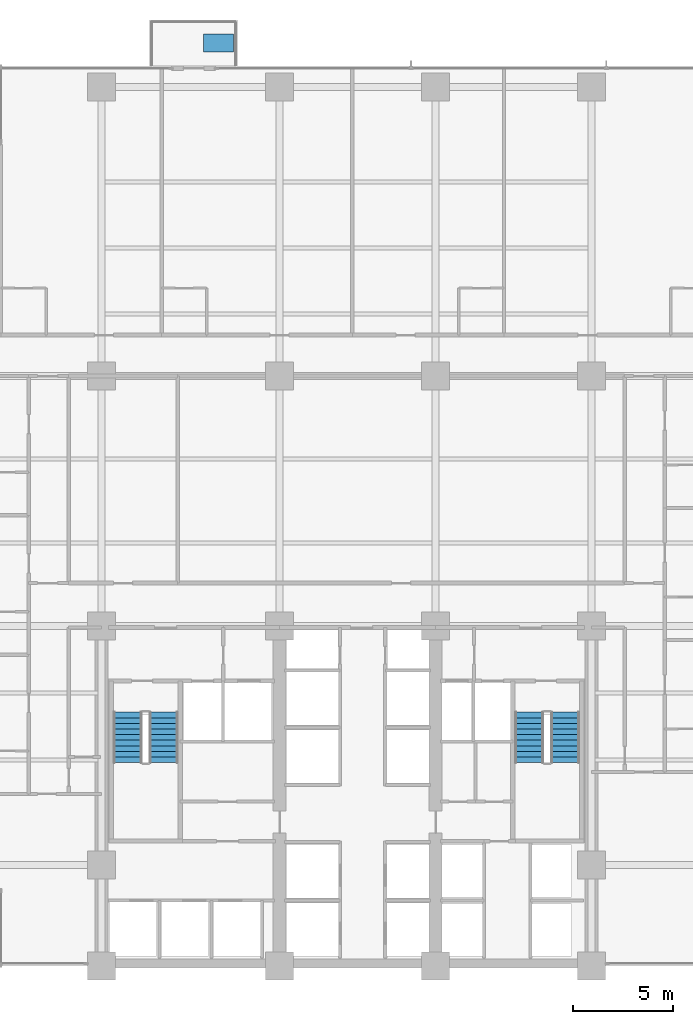
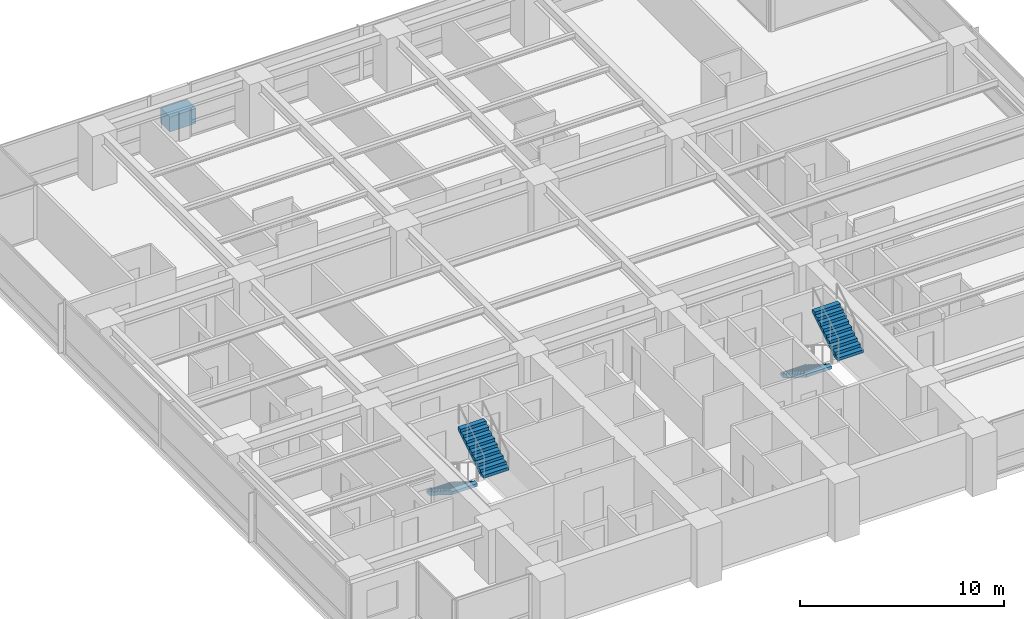
# One storey, part 11 of 17: 4 stair flights, 1 discrete accessory, 2 elements without a shape of their own.
"""IFC4 building model written with IfcOpenShell, lengths in metres."""

import ifcopenshell
import ifcopenshell.guid

model = None  # the IFC model being written
_history = None  # IfcOwnerHistory: only IFC2X3 demands one
_inside = {}  # id of a spatial element -> (the spatial element, [elements in it])
_under = {}  # id of a project, library or spatial element -> (it, [spatial elements below it])
_declared = {}  # id of a project -> (the project, [libraries it declares])
_typed = {}  # id of a type object -> (the type object, [elements of that type])
_made_of = {}  # id of a material, layer set ... -> (it, [elements and type objects made of it])


def new_model(schema):
    """Start an empty IFC model of exactly this schema.

    Asked for "IFC4X3", IfcOpenShell would pick the latest addendum, in which some entities
    have other attributes; the version numbers below select the first issue.
    IFC2X3 requires an IfcOwnerHistory on every rooted entity: one is made here for all.
    """
    global model, _history
    if schema == "IFC4X3":
        model = ifcopenshell.file(schema_version=(4, 3, 0, 0))
    else:
        model = ifcopenshell.file(schema=schema)
    _inside.clear()
    _under.clear()
    _declared.clear()
    _typed.clear()
    _made_of.clear()
    _history = None
    if model.schema == "IFC2X3":
        org = make("IfcOrganization", Name="unknown")
        user = make(
            "IfcPersonAndOrganization",
            ThePerson=make("IfcPerson", FamilyName="unknown"),
            TheOrganization=org,
        )
        app = make(
            "IfcApplication",
            ApplicationDeveloper=org,
            Version="unknown",
            ApplicationFullName="unknown",
            ApplicationIdentifier="unknown",
        )
        _history = make(
            "IfcOwnerHistory",
            OwningUser=user,
            OwningApplication=app,
            ChangeAction="ADDED",
            CreationDate=0,
        )
    return model


def make(cls, **values):
    """One entity of the class cls with the attributes given. An attribute that is None is left unset."""
    return model.create_entity(
        cls, **{name: value for name, value in values.items() if value is not None}
    )


def rooted(cls, **values):
    """An entity with a GlobalId (a new one), such as an element, a storey or a relation."""
    return make(cls, GlobalId=ifcopenshell.guid.new(), OwnerHistory=_history, **values)


def si_unit(unit_type, name, prefix=None):
    """IfcSIUnit, for example si_unit("LENGTHUNIT", "METRE", prefix="MILLI")."""
    return make("IfcSIUnit", UnitType=unit_type, Prefix=prefix, Name=name)


def assignment(units):
    """IfcUnitAssignment: the units of a project."""
    return None if units is None else make("IfcUnitAssignment", Units=units)


def point(xyz):
    """IfcCartesianPoint."""
    return None if xyz is None else make("IfcCartesianPoint", Coordinates=xyz)


def direction(xyz):
    """IfcDirection."""
    return None if xyz is None else make("IfcDirection", DirectionRatios=xyz)


def frame(location, z_axis=None, x_axis=None):
    """IfcAxis2Placement3D, a coordinate frame: its origin and axes. An axis left out is left unset."""
    return make(
        "IfcAxis2Placement3D",
        Location=point(location),
        Axis=direction(z_axis),
        RefDirection=direction(x_axis),
    )


def origin():
    """The frame at (0, 0, 0) with its axes left unset."""
    return frame((0.0, 0.0, 0.0))


def place(relative_to, where):
    """IfcLocalPlacement: puts the frame where relative to a parent placement (None: the world)."""
    return make(
        "IfcLocalPlacement", PlacementRelTo=relative_to, RelativePlacement=where
    )


def context(
    kind, dimensions, precision=None, world=None, true_north=None, identifier=None
):
    """IfcGeometricRepresentationContext, for example the 3D "Model" context."""
    return make(
        "IfcGeometricRepresentationContext",
        ContextIdentifier=identifier,
        ContextType=kind,
        CoordinateSpaceDimension=dimensions,
        Precision=precision,
        WorldCoordinateSystem=world,
        TrueNorth=true_north,
    )


def subcontext(parent, identifier, kind, view, scale=None):
    """IfcGeometricRepresentationSubContext, for example "Body" below "Model"."""
    return make(
        "IfcGeometricRepresentationSubContext",
        ContextIdentifier=identifier,
        ContextType=kind,
        ParentContext=parent,
        TargetScale=scale,
        TargetView=view,
    )


def project(units=None, contexts=None):
    """IfcProject with its units and contexts."""
    return rooted(
        "IfcProject",
        Name="project",
        RepresentationContexts=contexts,
        UnitsInContext=assignment(units),
    )


def spatial(cls, under=None, at=None, **own):
    """A site, building, storey or space (cls), placed at a placement, below another one or the project."""
    s = rooted(cls, ObjectPlacement=at, **own)
    if under is not None:
        _under.setdefault(under.id(), (under, []))[1].append(s)
    return s


def polyline(points):
    """IfcPolyline through the points."""
    return make("IfcPolyline", Points=[point(p) for p in points])


def outline(outer, holes=None, kind="AREA"):
    """IfcArbitraryClosedProfileDef: a profile drawn as a closed curve; with holes, ...WithVoids."""
    if holes is None:
        return make("IfcArbitraryClosedProfileDef", ProfileType=kind, OuterCurve=outer)
    return make(
        "IfcArbitraryProfileDefWithVoids",
        ProfileType=kind,
        OuterCurve=outer,
        InnerCurves=holes,
    )


def extrude(swept, where, along, depth):
    """IfcExtrudedAreaSolid: the profile swept, set in the frame where, extruded along a direction by depth."""
    return make(
        "IfcExtrudedAreaSolid",
        SweptArea=swept,
        Position=where,
        ExtrudedDirection=direction(along),
        Depth=depth,
    )


def shape(context_of_items, identifier, shape_type, items):
    """IfcShapeRepresentation: the items that make up one representation, for example the "Body"."""
    return make(
        "IfcShapeRepresentation",
        ContextOfItems=context_of_items,
        RepresentationIdentifier=identifier,
        RepresentationType=shape_type,
        Items=items,
    )


def material(Name=None, Category=None):
    """IfcMaterial."""
    return make("IfcMaterial", Name=Name, Category=Category)


def layer(
    of_material, thickness, ventilated=None, Name=None, Category=None, Priority=None
):
    """IfcMaterialLayer: one layer of a wall or slab, of a material (None: an air gap)."""
    return make(
        "IfcMaterialLayer",
        Material=of_material,
        LayerThickness=thickness,
        IsVentilated=ventilated,
        Name=Name,
        Category=Category,
        Priority=Priority,
    )


def layer_set(layers, Name=None):
    """IfcMaterialLayerSet."""
    return make("IfcMaterialLayerSet", MaterialLayers=layers, LayerSetName=Name)


def made_of(thing, what):
    """Note that an element or type object is made of a material, layer set ...; save() writes the relation."""
    if what is not None:
        _made_of.setdefault(what.id(), (what, []))[1].append(thing)
    return thing


def type_object(cls, material=None, **own):
    """A type object (cls), such as IfcWallType, which elements share."""
    return made_of(rooted(cls, **own), material)


def element(
    cls,
    number,
    at=None,
    inside=None,
    cuts=None,
    type_object=None,
    material=None,
    context=None,
    identifier="Body",
    shape_type=None,
    held_by="IfcProductDefinitionShape",
    body=None,
    shapes=None,
    **own,
):
    """One element of the class cls, such as IfcWall. Its Tag is "e" and its number.

    at: its placement. inside: the storey or other place that contains it. cuts: it is an
    opening in that element (IfcRelVoidsElement). A single representation is given by context,
    identifier, shape_type and body (its items); several are given by shapes. held_by: the class
    of the entity that holds the representations. save() writes the other relations.
    """
    e = rooted(cls, Tag="e%d" % number, ObjectPlacement=at, **own)
    if body is not None:
        shapes = [shape(context, identifier, shape_type, body)]
    if shapes is not None:
        e.Representation = make(held_by, Representations=shapes)
    if inside is not None:
        _inside.setdefault(inside.id(), (inside, []))[1].append(e)
    if cuts is not None:
        rooted(
            "IfcRelVoidsElement", RelatingBuildingElement=cuts, RelatedOpeningElement=e
        )
    if type_object is not None:
        _typed.setdefault(type_object.id(), (type_object, []))[1].append(e)
    return made_of(e, material)


def aggregate(whole, parts):
    """IfcRelAggregates: a whole, such as a stair, and the parts it consists of."""
    return rooted("IfcRelAggregates", RelatingObject=whole, RelatedObjects=parts)


def save(model, path):
    """Write the relations noted so far, then the file.

    IfcRelAggregates (storeys below a building ...), IfcRelContainedInSpatialStructure (elements
    in a storey), IfcRelDefinesByType, IfcRelAssociatesMaterial and IfcRelDeclares: one each for
    every whole, place, type object, material and project.
    """
    for whole, parts in _under.values():
        aggregate(whole, parts)
    for where, things in _inside.values():
        rooted(
            "IfcRelContainedInSpatialStructure",
            RelatedElements=things,
            RelatingStructure=where,
        )
    for kind, things in _typed.values():
        rooted("IfcRelDefinesByType", RelatedObjects=things, RelatingType=kind)
    for what, things in _made_of.values():
        rooted("IfcRelAssociatesMaterial", RelatedObjects=things, RelatingMaterial=what)
    for by, libraries in _declared.values():
        rooted("IfcRelDeclares", RelatingContext=by, RelatedDefinitions=libraries)
    model.write(path)


model = new_model("IFC4")

# Units and contexts
model_context = context("Model", 3, precision=1e-05, world=origin(), true_north=direction((0.0, 1.0)))
body_context = subcontext(model_context, "Body", "Model", "MODEL_VIEW")
ifc_project = project(units=[si_unit("LENGTHUNIT", "METRE"), si_unit("AREAUNIT", "SQUARE_METRE"), si_unit("VOLUMEUNIT", "CUBIC_METRE"), si_unit("PLANEANGLEUNIT", "RADIAN"), si_unit("MASSUNIT", "GRAM", prefix="KILO")], contexts=[model_context])

# Site, building, storey
site_placement = place(None, origin())
site = spatial("IfcSite", under=ifc_project, at=site_placement, CompositionType="ELEMENT")
building_placement = place(site_placement, origin())
building = spatial("IfcBuilding", under=site, at=building_placement, Name="Qalmaran Belvedere Hotel", CompositionType="ELEMENT")
storey_placement = place(building_placement, frame((0.0, 0.0, 68.39990234375)))
storey = spatial("IfcBuildingStorey", under=building, at=storey_placement, Name="L17", CompositionType="ELEMENT", Elevation=68.39990234375)

# Stair, stair flights
ifc_material = material(Name="Concrete C40/50", Category="concrete")
stair_type_1 = type_object("IfcStairType", Name="STR-ST-1-1450-R1750", PredefinedType="HALF_TURN_STAIR", material=ifc_material)
stair_1_placement = place(storey_placement, origin())
stair_1 = element("IfcStair", 1, at=stair_1_placement, inside=storey, type_object=stair_type_1, Name="L17 West Core Exit Stair ST-1", PredefinedType="HALF_TURN_STAIR")
ifc_layer_1 = layer(ifc_material, 0.14990234375, Name="Concrete C40/50")
ifc_layer_set_1 = layer_set([ifc_layer_1], Name="Concrete C40/50")
stair_flight_type_1 = type_object("IfcStairFlightType", Name="STF-ST-1-1450-R1750", PredefinedType="STRAIGHT", material=ifc_layer_set_1)
stair_flight_1_placement = place(storey_placement, frame((21.60498046875, 16.18994140625, 0.0), z_axis=(0.0, 0.0, 1.0), x_axis=(0.0, -1.0, 0.0)))
stair_flight_1 = element("IfcStairFlight", 2, at=stair_flight_1_placement, type_object=stair_flight_type_1, Name="ST-1 flight 1", NumberOfRisers=10, NumberOfTreads=9, PredefinedType="STRAIGHT", RiserHeight=0.175, TreadLength=0.28, context=body_context, shape_type="SweptSolid", body=[
    extrude(outline(polyline([(0.0, 0.0), (0.0, 0.175048828125), (0.280029296875, 0.175048828125), (0.280029296875, 0.35009765625), (0.56005859375, 0.35009765625), (0.56005859375, 0.52490234375), (0.840087890625, 0.52490234375), (0.840087890625, 0.699951171875), (1.1201171875, 0.699951171875), (1.1201171875, 0.875), (1.39990234375, 0.875), (1.39990234375, 1.050048828125), (1.679931640625, 1.050048828125), (1.679931640625, 1.22509765625), (1.9599609375, 1.22509765625), (1.9599609375, 1.39990234375), (2.239990234375, 1.39990234375), (2.239990234375, 1.574951171875), (2.52001953125, 1.574951171875), (2.52001953125, 1.75), (2.52001953125, 1.398193359375), (0.28271484375, 0.0), (0.0, 0.0)])), frame((0.0, 0.72509765625, 0.0), z_axis=(0.0, -1.0, 0.0), x_axis=(1.0, 0.0, 0.0)), (0.0, 0.0, 1.0), 1.449951171875),
])
stair_flight_2_placement = place(storey_placement, frame((23.39501953125, 13.669921875, 1.75), z_axis=(0.0, 0.0, 1.0), x_axis=(0.0, 1.0, 0.0)))
stair_flight_2 = element("IfcStairFlight", 3, at=stair_flight_2_placement, type_object=stair_flight_type_1, Name="ST-1 flight 2", NumberOfRisers=10, NumberOfTreads=9, PredefinedType="STRAIGHT", RiserHeight=0.175, TreadLength=0.28, context=body_context, shape_type="SweptSolid", body=[
    extrude(outline(polyline([(0.0, 0.0), (0.0, 0.175048828125), (0.280029296875, 0.175048828125), (0.280029296875, 0.35009765625), (0.56005859375, 0.35009765625), (0.56005859375, 0.52490234375), (0.840087890625, 0.52490234375), (0.840087890625, 0.699951171875), (1.1201171875, 0.699951171875), (1.1201171875, 0.875), (1.39990234375, 0.875), (1.39990234375, 1.050048828125), (1.679931640625, 1.050048828125), (1.679931640625, 1.22509765625), (1.9599609375, 1.22509765625), (1.9599609375, 1.39990234375), (2.239990234375, 1.39990234375), (2.239990234375, 1.574951171875), (2.52001953125, 1.574951171875), (2.52001953125, 1.75), (2.52001953125, 1.398193359375), (0.28271484375, 0.0), (0.0, 0.0)])), frame((0.0, 0.72509765625, 0.0), z_axis=(0.0, -1.0, 0.0), x_axis=(1.0, 0.0, 0.0)), (0.0, 0.0, 1.0), 1.449951171875),
])
aggregate(stair_1, [stair_flight_1, stair_flight_2])

stair_type_2 = type_object("IfcStairType", Name="STR-ST-2-1450-R1750", PredefinedType="HALF_TURN_STAIR", material=ifc_material)
stair_2_placement = place(storey_placement, origin())
stair_2 = element("IfcStair", 4, at=stair_2_placement, inside=storey, type_object=stair_type_2, Name="L17 East Core Exit Stair ST-2", PredefinedType="HALF_TURN_STAIR")
ifc_layer_2 = layer(ifc_material, 0.14990234375, Name="Concrete C40/50")
ifc_layer_set_2 = layer_set([ifc_layer_2], Name="Concrete C40/50")
stair_flight_type_2 = type_object("IfcStairFlightType", Name="STF-ST-2-1450-R1750", PredefinedType="STRAIGHT", material=ifc_layer_set_2)
stair_flight_3_placement = place(storey_placement, frame((41.68505859375, 16.18994140625, 0.0), z_axis=(0.0, 0.0, 1.0), x_axis=(0.0, -1.0, 0.0)))
stair_flight_3 = element("IfcStairFlight", 5, at=stair_flight_3_placement, type_object=stair_flight_type_2, Name="ST-2 flight 1", NumberOfRisers=10, NumberOfTreads=9, PredefinedType="STRAIGHT", RiserHeight=0.175, TreadLength=0.28, context=body_context, shape_type="SweptSolid", body=[
    extrude(outline(polyline([(0.0, 0.0), (0.0, 0.175048828125), (0.280029296875, 0.175048828125), (0.280029296875, 0.35009765625), (0.56005859375, 0.35009765625), (0.56005859375, 0.52490234375), (0.840087890625, 0.52490234375), (0.840087890625, 0.699951171875), (1.1201171875, 0.699951171875), (1.1201171875, 0.875), (1.39990234375, 0.875), (1.39990234375, 1.050048828125), (1.679931640625, 1.050048828125), (1.679931640625, 1.22509765625), (1.9599609375, 1.22509765625), (1.9599609375, 1.39990234375), (2.239990234375, 1.39990234375), (2.239990234375, 1.574951171875), (2.52001953125, 1.574951171875), (2.52001953125, 1.75), (2.52001953125, 1.398193359375), (0.28271484375, 0.0), (0.0, 0.0)])), frame((0.0, 0.72509765625, 0.0), z_axis=(0.0, -1.0, 0.0), x_axis=(1.0, 0.0, 0.0)), (0.0, 0.0, 1.0), 1.449951171875),
])
stair_flight_4_placement = place(storey_placement, frame((43.47509765625, 13.669921875, 1.75), z_axis=(0.0, 0.0, 1.0), x_axis=(0.0, 1.0, 0.0)))
stair_flight_4 = element("IfcStairFlight", 6, at=stair_flight_4_placement, type_object=stair_flight_type_2, Name="ST-2 flight 2", NumberOfRisers=10, NumberOfTreads=9, PredefinedType="STRAIGHT", RiserHeight=0.175, TreadLength=0.28, context=body_context, shape_type="SweptSolid", body=[
    extrude(outline(polyline([(0.0, 0.0), (0.0, 0.175048828125), (0.280029296875, 0.175048828125), (0.280029296875, 0.35009765625), (0.56005859375, 0.35009765625), (0.56005859375, 0.52490234375), (0.840087890625, 0.52490234375), (0.840087890625, 0.699951171875), (1.1201171875, 0.699951171875), (1.1201171875, 0.875), (1.39990234375, 0.875), (1.39990234375, 1.050048828125), (1.679931640625, 1.050048828125), (1.679931640625, 1.22509765625), (1.9599609375, 1.22509765625), (1.9599609375, 1.39990234375), (2.239990234375, 1.39990234375), (2.239990234375, 1.574951171875), (2.52001953125, 1.574951171875), (2.52001953125, 1.75), (2.52001953125, 1.398193359375), (0.28271484375, 0.0), (0.0, 0.0)])), frame((0.0, 0.72509765625, 0.0), z_axis=(0.0, -1.0, 0.0), x_axis=(1.0, 0.0, 0.0)), (0.0, 0.0, 1.0), 1.449951171875),
])
aggregate(stair_2, [stair_flight_3, stair_flight_4])

# Discrete accessory
discrete_accessory_type = type_object("IfcDiscreteAccessoryType", Name="PLN-BAL-1500", PredefinedType="USERDEFINED", material=ifc_material)
discrete_accessory_placement = place(storey_placement, origin())
element("IfcDiscreteAccessory", 7, at=discrete_accessory_placement, inside=storey, type_object=discrete_accessory_type, Name="L17 Sky Tree Planter", ObjectType="PLANTER", PredefinedType="USERDEFINED", context=body_context, shape_type="SweptSolid", body=[
    extrude(outline(polyline([(25.39990234375, 49.199951171875), (26.89990234375, 49.199951171875), (26.89990234375, 50.10009765625), (25.39990234375, 50.10009765625), (25.39990234375, 49.199951171875)])), origin(), (0.0, 0.0, 1.0), 0.900146484375),
])

save(model, "model.ifc")
